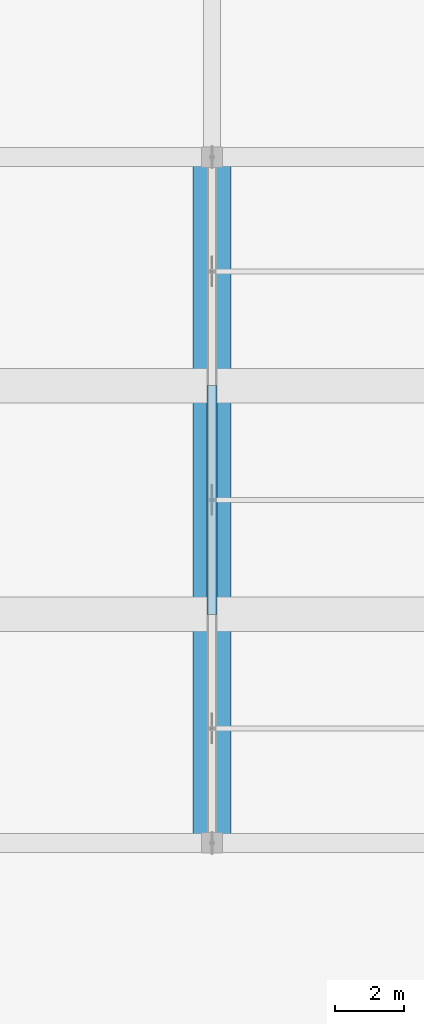
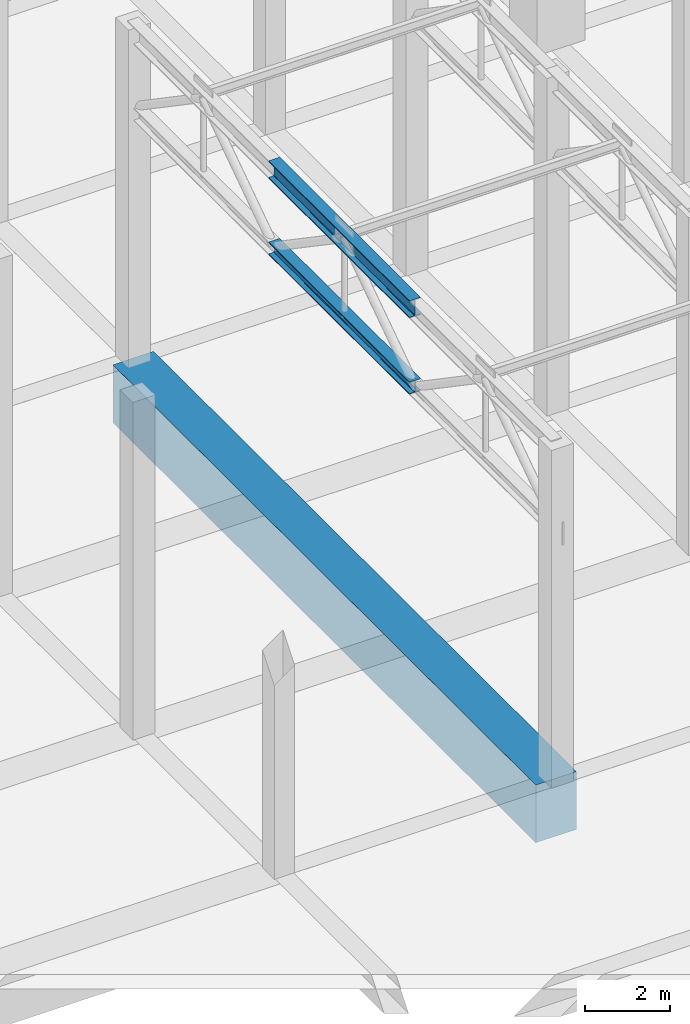
# One storey, part 20 of 80: 2 members, 1 beam.
"""IFC4 building model written with IfcOpenShell, lengths in metres."""

from ifc_helpers import new_model, si_unit, direction, frame, origin, origin_2d, place, context, subcontext, project, spatial, rectangle, i_section, extrude, material, material_profile, profile_set, type_object, element, save


model = new_model("IFC4")

# Units and contexts
model_context = context("Model", 3, precision=1e-05, world=origin(), true_north=direction((0.0, 1.0)))
body_context = subcontext(model_context, "Body", "Model", "MODEL_VIEW")
ifc_project = project(units=[si_unit("LENGTHUNIT", "METRE"), si_unit("AREAUNIT", "SQUARE_METRE"), si_unit("VOLUMEUNIT", "CUBIC_METRE"), si_unit("PLANEANGLEUNIT", "RADIAN"), si_unit("MASSUNIT", "GRAM", prefix="KILO")], contexts=[model_context])

# Site, building, storey
site_placement = place(None, origin())
site = spatial("IfcSite", under=ifc_project, at=site_placement, CompositionType="ELEMENT")
building_placement = place(site_placement, origin())
building = spatial("IfcBuilding", under=site, at=building_placement, Name="Akrevak Sports Hall", CompositionType="ELEMENT")
storey_placement = place(building_placement, frame((0.0, 0.0, 14.0)))
storey = spatial("IfcBuildingStorey", under=building, at=storey_placement, Name="L03", CompositionType="ELEMENT", Elevation=14.0)

# Beam
ifc_material_1 = material(Name="Concrete C50/60", Category="concrete")
ifc_material_profile_1 = material_profile(ifc_material_1, rectangle(XDim=1.10009765625, YDim=1.64990234375, at=origin_2d()), Name="BM 1100x1650", Category="concrete")
ifc_profile_set_1 = profile_set([ifc_material_profile_1], Name="Concrete C50/60")
beam_type = type_object("IfcBeamType", Name="STR-BM-LG1100x1650", PredefinedType="BEAM", material=ifc_profile_set_1)
beam_placement = place(storey_placement, frame((22.5, 28.800048828125, -0.824951171875), z_axis=(0.0, 1.0, 0.0), x_axis=(-1.0, 0.0, 0.0)))
element("IfcBeam", 1, at=beam_placement, inside=storey, type_object=beam_type, Name="Girder 4/E-H (L03)", PredefinedType="BEAM", context=body_context, shape_type="SweptSolid", body=[
    extrude(rectangle(XDim=1.10009765625, YDim=1.64990234375, at=origin_2d()), origin(), (0.0, 0.0, 1.0), 19.800048828125),
])

# Members
ifc_material_2 = material(Name="Steel S355", Category="steel")
ifc_material_profile_2 = material_profile(ifc_material_2, i_section(OverallWidth=0.300048828125, OverallDepth=0.360107421875, WebThickness=0.012451171875, FlangeThickness=0.0224609375, FilletRadius=0.027099609375, at=origin_2d()), Name="HEB 360", Category="steel")
ifc_profile_set_2 = profile_set([ifc_material_profile_2], Name="Steel S355")
member_type_1 = type_object("IfcMemberType", Name="STR-MEM-CHORD-HEB360", PredefinedType="CHORD", material=ifc_profile_set_2)
member_1_placement = place(storey_placement, frame((22.5, 35.39990234375, 7.18994140625), z_axis=(0.0, 1.0, 0.0), x_axis=(-1.0, 0.0, 0.0)))
element("IfcMember", 2, at=member_1_placement, inside=storey, type_object=member_type_1, Name="Roof Truss 1 Bottom Chord 2", PredefinedType="CHORD", context=body_context, shape_type="SweptSolid", body=[
    extrude(i_section(OverallWidth=0.300048828125, OverallDepth=0.360107421875, WebThickness=0.012451171875, FlangeThickness=0.0224609375, FilletRadius=0.027099609375, at=origin_2d()), origin(), (0.0, 0.0, 1.0), 6.60009765625),
])
ifc_material_profile_3 = material_profile(ifc_material_2, i_section(OverallWidth=0.300048828125, OverallDepth=0.5, WebThickness=0.014404296875, FlangeThickness=0.028076171875, FilletRadius=0.027099609375, at=origin_2d()), Name="HEB 500", Category="steel")
ifc_profile_set_3 = profile_set([ifc_material_profile_3], Name="Steel S355")
member_type_2 = type_object("IfcMemberType", Name="STR-MEM-CHORD-HEB500", PredefinedType="CHORD", material=ifc_profile_set_3)
member_2_placement = place(storey_placement, frame((22.5, 35.39990234375, 9.43994140625), z_axis=(0.0, 1.0, 0.0), x_axis=(-1.0, 0.0, 0.0)))
element("IfcMember", 3, at=member_2_placement, inside=storey, type_object=member_type_2, Name="Roof Truss 1 Top Chord 2", PredefinedType="CHORD", context=body_context, shape_type="SweptSolid", body=[
    extrude(i_section(OverallWidth=0.300048828125, OverallDepth=0.5, WebThickness=0.014404296875, FlangeThickness=0.028076171875, FilletRadius=0.027099609375, at=origin_2d()), origin(), (0.0, 0.0, 1.0), 6.60009765625),
])

save(model, "model.ifc")
